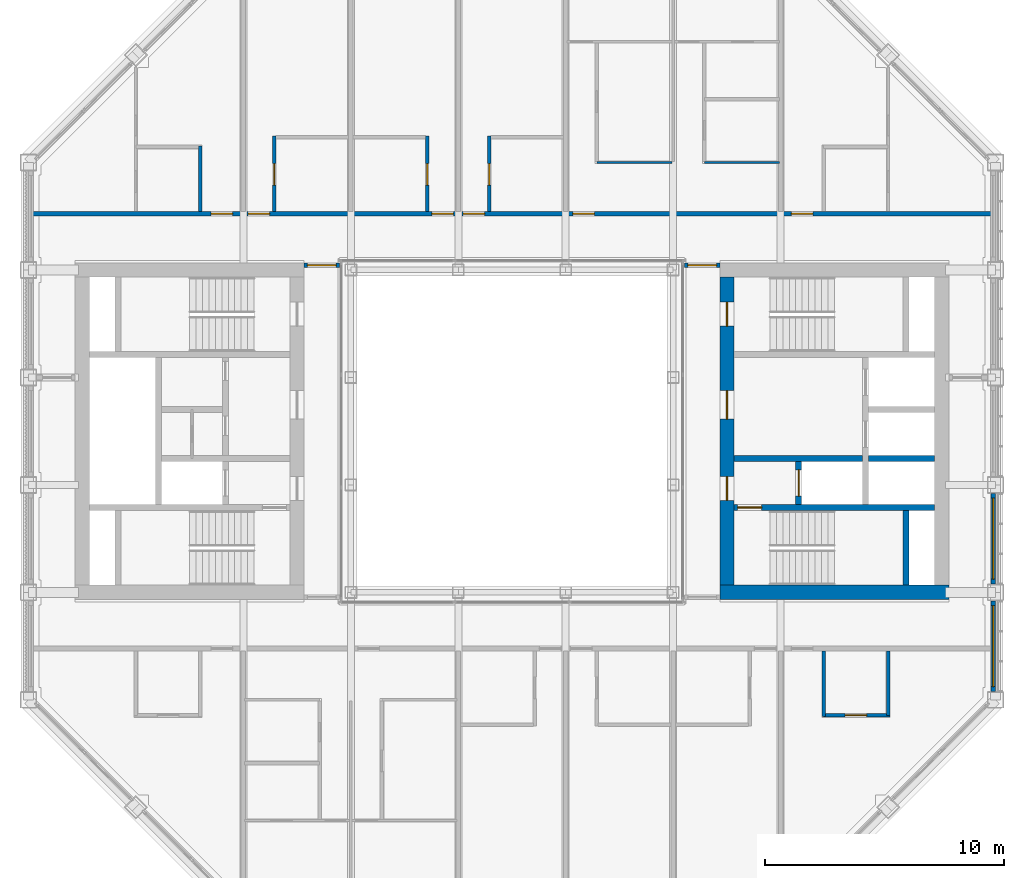
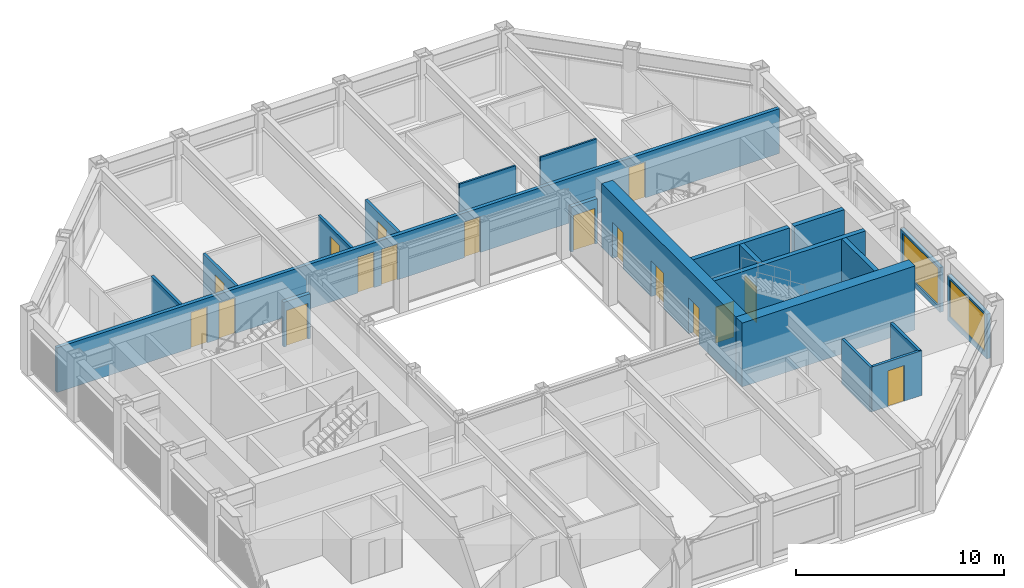
# One storey, part 11 of 18: 21 walls, 17 doors, 2 windows, 19 openings.
"""IFC4 building model written with IfcOpenShell, lengths in metres."""

from ifc_helpers import new_model, si_unit, direction, frame, frame_2d, origin, place, context, subcontext, project, spatial, rectangle, extrude, material, layer, layer_set, type_object, element, fill, save


model = new_model("IFC4")

# Units and contexts
model_context = context("Model", 3, precision=1e-05, world=origin(), true_north=direction((0.0, 1.0)))
body_context = subcontext(model_context, "Body", "Model", "MODEL_VIEW")
ifc_project = project(units=[si_unit("LENGTHUNIT", "METRE"), si_unit("AREAUNIT", "SQUARE_METRE"), si_unit("VOLUMEUNIT", "CUBIC_METRE"), si_unit("PLANEANGLEUNIT", "RADIAN"), si_unit("MASSUNIT", "GRAM", prefix="KILO")], contexts=[model_context])

# Site, building, storey
site_placement = place(None, origin())
site = spatial("IfcSite", under=ifc_project, at=site_placement, CompositionType="ELEMENT")
building_placement = place(site_placement, origin())
building = spatial("IfcBuilding", under=site, at=building_placement, Name="Msasa Ring Tower", CompositionType="ELEMENT")
storey_placement = place(building_placement, frame((0.0, 0.0, 227.050048828125)))
storey = spatial("IfcBuildingStorey", under=building, at=storey_placement, Name="L59", CompositionType="ELEMENT", Elevation=227.050048828125)

# Wall
ifc_material_1 = material(Name="Concrete C60/75", Category="concrete")
ifc_layer_1 = layer(ifc_material_1, 0.60009765625)
ifc_layer_set_1 = layer_set([ifc_layer_1], Name="CW3 CORE WALL 600")
wall_type_1 = type_object("IfcWallType", Name="CW3 CORE WALL 600", PredefinedType="SHEAR", material=ifc_layer_set_1)
wall_1_placement = place(storey_placement, frame((8.699951171875, -6.75, 0.0), z_axis=(0.0, 0.0, 1.0), x_axis=(1.0, 0.0, 0.0)))
element("IfcWall", 1, at=wall_1_placement, inside=storey, type_object=wall_type_1, Name="E core wall S L59", PredefinedType="SHEAR", context=body_context, shape_type="SweptSolid", body=[
    extrude(rectangle(XDim=9.60009765625, YDim=0.60009765625, at=frame_2d((4.800048828125, 0.0))), origin(), (0.0, 0.0, 1.0), 3.75),
])

# Wall, openings, doors
wall_2_placement = place(storey_placement, frame((9.0, -6.449951171875, 0.0), z_axis=(0.0, 0.0, 1.0), x_axis=(0.0, 1.0, 0.0)))
wall_2 = element("IfcWall", 2, at=wall_2_placement, inside=storey, type_object=wall_type_1, Name="E core wall W L59", PredefinedType="SHEAR", context=body_context, shape_type="SweptSolid", body=[
    extrude(rectangle(XDim=12.89990234375, YDim=0.60009765625, at=frame_2d((6.449951171875, 0.0))), origin(), (0.0, 0.0, 1.0), 3.75),
])
opening_1_placement = place(wall_2_placement, frame((3.550048828125, 0.0, 0.0)))
opening_1 = element("IfcOpeningElement", 3, at=opening_1_placement, cuts=wall_2, Name="Opening SC-031", PredefinedType="OPENING", context=body_context, shape_type="SweptSolid", body=[
    extrude(rectangle(XDim=1.0, YDim=2.10009765625, at=frame_2d((0.5, 1.050048828125))), frame((0.0, 0.31005859375, 0.0), z_axis=(0.0, -1.0, 0.0), x_axis=(1.0, 0.0, 0.0)), (0.0, 0.0, 1.0), 0.6201171875),
])
opening_2_placement = place(wall_2_placement, frame((6.949951171875, 0.0, 0.0)))
opening_2 = element("IfcOpeningElement", 4, at=opening_2_placement, cuts=wall_2, Name="Opening SC-027", PredefinedType="OPENING", context=body_context, shape_type="SweptSolid", body=[
    extrude(rectangle(XDim=1.199951171875, YDim=2.10009765625, at=frame_2d((0.60009765625, 1.050048828125))), frame((0.0, 0.31005859375, 0.0), z_axis=(0.0, -1.0, 0.0), x_axis=(1.0, 0.0, 0.0)), (0.0, 0.0, 1.0), 0.6201171875),
])
opening_3_placement = place(wall_2_placement, frame((10.85009765625, 0.0, 0.0)))
opening_3 = element("IfcOpeningElement", 5, at=opening_3_placement, cuts=wall_2, Name="Opening SC-022", PredefinedType="OPENING", context=body_context, shape_type="SweptSolid", body=[
    extrude(rectangle(XDim=1.0, YDim=2.10009765625, at=frame_2d((0.5, 1.050048828125))), frame((0.0, 0.31005859375, 0.0), z_axis=(0.0, -1.0, 0.0), x_axis=(1.0, 0.0, 0.0)), (0.0, 0.0, 1.0), 0.6201171875),
])
ifc_material_2 = material(Name="Timber door leaf in a steel frame", Category="steel")
door_type_1 = type_object("IfcDoorType", Name="D4 LOBBY DOOR 1000x2100", OperationType="SINGLE_SWING_LEFT", PredefinedType="DOOR", material=ifc_material_2)
door_1_placement = place(opening_1_placement, origin())
door_1 = element("IfcDoor", 6, at=door_1_placement, inside=storey, type_object=door_type_1, Name="Door L59-EFFL", OperationType="SINGLE_SWING_LEFT", OverallHeight=2.10009765625, OverallWidth=1.0, PredefinedType="DOOR", context=body_context, shape_type="SweptSolid", body=[
    extrude(rectangle(XDim=1.0, YDim=2.10009765625, at=frame_2d((0.5, 1.050048828125))), frame((0.0, 0.02490234375, 0.0), z_axis=(0.0, -1.0, 0.0), x_axis=(1.0, 0.0, 0.0)), (0.0, 0.0, 1.0), 0.050048828125),
])
fill(opening_1, door_1)
ifc_material_3 = material(Name="Timber door leaf in a steel frame", Category="steel")
door_type_2 = type_object("IfcDoorType", Name="D5 WIDE LOBBY DOOR 1200x2100", OperationType="SINGLE_SWING_LEFT", PredefinedType="DOOR", material=ifc_material_3)
door_2_placement = place(opening_2_placement, origin())
door_2 = element("IfcDoor", 7, at=door_2_placement, inside=storey, type_object=door_type_2, Name="Door L59-ELL", OperationType="SINGLE_SWING_RIGHT", OverallHeight=2.10009765625, OverallWidth=1.199951171875, PredefinedType="DOOR", context=body_context, shape_type="SweptSolid", body=[
    extrude(rectangle(XDim=1.199951171875, YDim=2.10009765625, at=frame_2d((0.60009765625, 1.050048828125))), frame((0.0, 0.02490234375, 0.0), z_axis=(0.0, -1.0, 0.0), x_axis=(1.0, 0.0, 0.0)), (0.0, 0.0, 1.0), 0.050048828125),
])
fill(opening_2, door_2)
ifc_material_4 = material(Name="Timber door leaf in a steel frame", Category="steel")
door_type_3 = type_object("IfcDoorType", Name="D6 STAIR DOOR 1000x2100", OperationType="SINGLE_SWING_LEFT", PredefinedType="DOOR", material=ifc_material_4)
door_3_placement = place(opening_3_placement, origin())
door_3 = element("IfcDoor", 8, at=door_3_placement, inside=storey, type_object=door_type_3, Name="Door L59-ESTB", OperationType="SINGLE_SWING_RIGHT", OverallHeight=2.10009765625, OverallWidth=1.0, PredefinedType="DOOR", context=body_context, shape_type="SweptSolid", body=[
    extrude(rectangle(XDim=1.0, YDim=2.10009765625, at=frame_2d((0.5, 1.050048828125))), frame((0.0, 0.02490234375, 0.0), z_axis=(0.0, -1.0, 0.0), x_axis=(1.0, 0.0, 0.0)), (0.0, 0.0, 1.0), 0.050048828125),
])
fill(opening_3, door_3)

# Wall, opening, door
ifc_material_5 = material(Name="Concrete C60/75", Category="concrete")
ifc_layer_2 = layer(ifc_material_5, 0.25)
ifc_layer_set_2 = layer_set([ifc_layer_2], Name="CW4 CORE INNER WALL 250")
wall_type_2 = type_object("IfcWallType", Name="CW4 CORE INNER WALL 250", PredefinedType="SHEAR", material=ifc_layer_set_2)
wall_3_placement = place(storey_placement, frame((9.300048828125, -3.199951171875, 0.0), z_axis=(0.0, 0.0, 1.0), x_axis=(1.0, 0.0, 0.0)))
wall_3 = element("IfcWall", 9, at=wall_3_placement, inside=storey, type_object=wall_type_2, Name="E core wall STAIRA L59", PredefinedType="SHEAR", context=body_context, shape_type="SweptSolid", body=[
    extrude(rectangle(XDim=8.39990234375, YDim=0.25, at=frame_2d((4.199951171875, 0.0))), origin(), (0.0, 0.0, 1.0), 3.75),
])
opening_4_placement = place(wall_3_placement, frame((0.14990234375, 0.0, 0.0)))
opening_4 = element("IfcOpeningElement", 10, at=opening_4_placement, cuts=wall_3, Name="Opening SC-033", PredefinedType="OPENING", context=body_context, shape_type="SweptSolid", body=[
    extrude(rectangle(XDim=1.0, YDim=2.10009765625, at=frame_2d((0.5, 1.050048828125))), frame((0.0, 0.135009765625, 0.0), z_axis=(0.0, -1.0, 0.0), x_axis=(1.0, 0.0, 0.0)), (0.0, 0.0, 1.0), 0.27001953125),
])
door_4_placement = place(opening_4_placement, origin())
door_4 = element("IfcDoor", 11, at=door_4_placement, inside=storey, type_object=door_type_3, Name="Door L59-ESTA", OperationType="SINGLE_SWING_LEFT", OverallHeight=2.10009765625, OverallWidth=1.0, PredefinedType="DOOR", context=body_context, shape_type="SweptSolid", body=[
    extrude(rectangle(XDim=1.0, YDim=2.10009765625, at=frame_2d((0.5, 1.050048828125))), frame((0.0, 0.02490234375, 0.0), z_axis=(0.0, -1.0, 0.0), x_axis=(1.0, 0.0, 0.0)), (0.0, 0.0, 1.0), 0.050048828125),
])
fill(opening_4, door_4)

# Walls
wall_4_placement = place(storey_placement, frame((16.5, -6.449951171875, 0.0), z_axis=(0.0, 0.0, 1.0), x_axis=(0.0, 1.0, 0.0)))
element("IfcWall", 12, at=wall_4_placement, inside=storey, type_object=wall_type_2, Name="E core wall RISERA L59", PredefinedType="SHEAR", context=body_context, shape_type="SweptSolid", body=[
    extrude(rectangle(XDim=3.125, YDim=0.25, at=frame_2d((1.5625, 0.0))), origin(), (0.0, 0.0, 1.0), 3.75),
])
wall_5_placement = place(storey_placement, frame((9.300048828125, -1.14990234375, 0.0), z_axis=(0.0, 0.0, 1.0), x_axis=(1.0, 0.0, 0.0)))
element("IfcWall", 13, at=wall_5_placement, inside=storey, type_object=wall_type_2, Name="E core wall FFL L59", PredefinedType="SHEAR", context=body_context, shape_type="SweptSolid", body=[
    extrude(rectangle(XDim=5.375, YDim=0.25, at=frame_2d((2.6875, 0.0))), origin(), (0.0, 0.0, 1.0), 3.75),
])

# Wall, opening, door
wall_6_placement = place(storey_placement, frame((12.0, -3.074951171875, 0.0), z_axis=(0.0, 0.0, 1.0), x_axis=(0.0, 1.0, 0.0)))
wall_6 = element("IfcWall", 14, at=wall_6_placement, inside=storey, type_object=wall_type_2, Name="E core wall LOBBY L59", PredefinedType="SHEAR", context=body_context, shape_type="SweptSolid", body=[
    extrude(rectangle(XDim=1.800048828125, YDim=0.25, at=frame_2d((0.89990234375, 0.0))), origin(), (0.0, 0.0, 1.0), 3.75),
])
opening_5_placement = place(wall_6_placement, frame((0.35009765625, 0.0, 0.0)))
opening_5 = element("IfcOpeningElement", 15, at=opening_5_placement, cuts=wall_6, Name="Opening LD1", PredefinedType="OPENING", context=body_context, shape_type="SweptSolid", body=[
    extrude(rectangle(XDim=1.10009765625, YDim=2.10009765625, at=frame_2d((0.550048828125, 1.050048828125))), frame((0.0, 0.135009765625, 0.0), z_axis=(0.0, -1.0, 0.0), x_axis=(1.0, 0.0, 0.0)), (0.0, 0.0, 1.0), 0.27001953125),
])
ifc_material_6 = material(Name="Stainless steel lift landing door", Category="steel")
door_type_4 = type_object("IfcDoorType", Name="LD1 LIFT LANDING DOOR 1100x2100", OperationType="DOUBLE_DOOR_SLIDING", PredefinedType="DOOR", material=ifc_material_6)
door_5_placement = place(opening_5_placement, origin())
door_5 = element("IfcDoor", 16, at=door_5_placement, inside=storey, type_object=door_type_4, Name="Lift landing door FL-E L59", OperationType="DOUBLE_DOOR_SLIDING", OverallHeight=2.10009765625, OverallWidth=1.10009765625, PredefinedType="DOOR", context=body_context, shape_type="SweptSolid", body=[
    extrude(rectangle(XDim=1.10009765625, YDim=2.10009765625, at=frame_2d((0.550048828125, 1.050048828125))), frame((0.0, 0.02490234375, 0.0), z_axis=(0.0, -1.0, 0.0), x_axis=(1.0, 0.0, 0.0)), (0.0, 0.0, 1.0), 0.050048828125),
])
fill(opening_5, door_5)

# Wall
wall_7_placement = place(storey_placement, frame((14.925048828125, -1.14990234375, 0.0), z_axis=(0.0, 0.0, 1.0), x_axis=(1.0, 0.0, 0.0)))
element("IfcWall", 17, at=wall_7_placement, inside=storey, type_object=wall_type_2, Name="E core wall HSEP L59", PredefinedType="SHEAR", context=body_context, shape_type="SweptSolid", body=[
    extrude(rectangle(XDim=2.77490234375, YDim=0.25, at=frame_2d((1.387451171875, 0.0))), origin(), (0.0, 0.0, 1.0), 3.75),
])

# Wall, opening, window
ifc_material_7 = material(Name="Terracotta rainscreen on blockwork", Category="masonry")
ifc_layer_3 = layer(ifc_material_7, 0.199951171875)
ifc_layer_set_3 = layer_set([ifc_layer_3], Name="FW1 TERRACOTTA-LINED INFILL BAY WALL 200")
wall_type_3 = type_object("IfcWallType", Name="FW1 TERRACOTTA-LINED INFILL BAY WALL 200", PredefinedType="SOLIDWALL", material=ifc_layer_set_3)
wall_8_placement = place(storey_placement, frame((20.14990234375, -10.89501953125, 0.0), z_axis=(0.0, 0.0, 1.0), x_axis=(0.0, 1.0, 0.0)))
wall_8 = element("IfcWall", 18, at=wall_8_placement, inside=storey, type_object=wall_type_3, Name="Infill bay wall E L59 07", PredefinedType="SOLIDWALL", context=body_context, shape_type="SweptSolid", body=[
    extrude(rectangle(XDim=3.7900390625, YDim=0.199951171875, at=frame_2d((1.89501953125, 0.0))), origin(), (0.0, 0.0, 1.0), 2.62890625),
])
opening_6_placement = place(wall_8_placement, frame((0.195068359375, 0.0, 0.300048828125)))
opening_6 = element("IfcOpeningElement", 19, at=opening_6_placement, cuts=wall_8, Name="Opening WN3", PredefinedType="OPENING", context=body_context, shape_type="SweptSolid", body=[
    extrude(rectangle(XDim=3.39990234375, YDim=2.178955078125, at=frame_2d((1.699951171875, 1.08935546875))), frame((0.0, 0.10986328125, 0.0), z_axis=(0.0, -1.0, 0.0), x_axis=(1.0, 0.0, 0.0)), (0.0, 0.0, 1.0), 0.219970703125),
])
ifc_material_8 = material(Name="Aluminium frame with clear glass", Category="aluminium")
window_type = type_object("IfcWindowType", Name="WN3 SUITE WINDOW 3400x2179", PartitioningType="SINGLE_PANEL", PredefinedType="WINDOW", material=ifc_material_8)
window_1_placement = place(opening_6_placement, origin())
window_1 = element("IfcWindow", 20, at=window_1_placement, inside=storey, type_object=window_type, Name="Window E L59 07", OverallHeight=2.178955078125, OverallWidth=3.39990234375, PartitioningType="SINGLE_PANEL", PredefinedType="WINDOW", context=body_context, shape_type="SweptSolid", body=[
    extrude(rectangle(XDim=3.39990234375, YDim=2.178955078125, at=frame_2d((1.699951171875, 1.08935546875))), frame((0.0, 0.030029296875, 0.0), z_axis=(0.0, -1.0, 0.0), x_axis=(1.0, 0.0, 0.0)), (0.0, 0.0, 1.0), 0.06005859375),
])
fill(opening_6, window_1)

wall_9_placement = place(storey_placement, frame((20.14990234375, -6.39501953125, 0.0), z_axis=(0.0, 0.0, 1.0), x_axis=(0.0, 1.0, 0.0)))
wall_9 = element("IfcWall", 21, at=wall_9_placement, inside=storey, type_object=wall_type_3, Name="Infill bay wall E L59 08", PredefinedType="SOLIDWALL", context=body_context, shape_type="SweptSolid", body=[
    extrude(rectangle(XDim=3.7900390625, YDim=0.199951171875, at=frame_2d((1.89501953125, 0.0))), origin(), (0.0, 0.0, 1.0), 2.62890625),
])
opening_7_placement = place(wall_9_placement, frame((0.195068359375, 0.0, 0.300048828125)))
opening_7 = element("IfcOpeningElement", 22, at=opening_7_placement, cuts=wall_9, Name="Opening WN3", PredefinedType="OPENING", context=body_context, shape_type="SweptSolid", body=[
    extrude(rectangle(XDim=3.39990234375, YDim=2.178955078125, at=frame_2d((1.699951171875, 1.08935546875))), frame((0.0, 0.10986328125, 0.0), z_axis=(0.0, -1.0, 0.0), x_axis=(1.0, 0.0, 0.0)), (0.0, 0.0, 1.0), 0.219970703125),
])
window_2_placement = place(opening_7_placement, origin())
window_2 = element("IfcWindow", 23, at=window_2_placement, inside=storey, type_object=window_type, Name="Window E L59 08", OverallHeight=2.178955078125, OverallWidth=3.39990234375, PartitioningType="SINGLE_PANEL", PredefinedType="WINDOW", context=body_context, shape_type="SweptSolid", body=[
    extrude(rectangle(XDim=3.39990234375, YDim=2.178955078125, at=frame_2d((1.699951171875, 1.08935546875))), frame((0.0, 0.030029296875, 0.0), z_axis=(0.0, -1.0, 0.0), x_axis=(1.0, 0.0, 0.0)), (0.0, 0.0, 1.0), 0.06005859375),
])
fill(opening_7, window_2)

# Wall, opening, door
ifc_material_9 = material(Name="Concrete blockwork", Category="masonry")
ifc_layer_4 = layer(ifc_material_9, 0.199951171875)
ifc_layer_set_4 = layer_set([ifc_layer_4], Name="PT1 CORRIDOR WALL 200")
wall_type_4 = type_object("IfcWallType", Name="PT1 CORRIDOR WALL 200", PredefinedType="PARTITIONING", material=ifc_layer_set_4)
wall_10_placement = place(storey_placement, frame((7.22998046875, 6.949951171875, 0.0), z_axis=(0.0, 0.0, 1.0), x_axis=(1.0, 0.0, 0.0)))
wall_10 = element("IfcWall", 24, at=wall_10_placement, inside=storey, type_object=wall_type_4, Name="Corridor wall L59-SDEN", PredefinedType="PARTITIONING", context=body_context, shape_type="SweptSolid", body=[
    extrude(rectangle(XDim=1.469970703125, YDim=0.199951171875, at=frame_2d((0.73486328125, 0.0))), origin(), (0.0, 0.0, 1.0), 2.62890625),
])
opening_8_placement = place(wall_10_placement, frame((0.135009765625, 0.0, 0.0)))
opening_8 = element("IfcOpeningElement", 25, at=opening_8_placement, cuts=wall_10, Name="Opening SC-020", PredefinedType="OPENING", context=body_context, shape_type="SweptSolid", body=[
    extrude(rectangle(XDim=1.199951171875, YDim=2.10009765625, at=frame_2d((0.60009765625, 1.050048828125))), frame((0.0, 0.10986328125, 0.0), z_axis=(0.0, -1.0, 0.0), x_axis=(1.0, 0.0, 0.0)), (0.0, 0.0, 1.0), 0.219970703125),
])
ifc_material_10 = material(Name="Timber door leaf in a steel frame", Category="steel")
door_type_5 = type_object("IfcDoorType", Name="D25 CORRIDOR PAIR OF SMOKE DOORS 1200x2100", OperationType="DOUBLE_DOOR_DOUBLE_SWING", PredefinedType="DOOR", material=ifc_material_10)
door_6_placement = place(opening_8_placement, origin())
door_6 = element("IfcDoor", 26, at=door_6_placement, inside=storey, type_object=door_type_5, Name="Door L59-SDEN", OperationType="DOUBLE_DOOR_DOUBLE_SWING", OverallHeight=2.10009765625, OverallWidth=1.199951171875, PredefinedType="DOOR", context=body_context, shape_type="SweptSolid", body=[
    extrude(rectangle(XDim=1.199951171875, YDim=2.10009765625, at=frame_2d((0.60009765625, 1.050048828125))), frame((0.0, 0.02490234375, 0.0), z_axis=(0.0, -1.0, 0.0), x_axis=(1.0, 0.0, 0.0)), (0.0, 0.0, 1.0), 0.050048828125),
])
fill(opening_8, door_6)

wall_11_placement = place(storey_placement, frame((-8.699951171875, 6.949951171875, 0.0), z_axis=(0.0, 0.0, 1.0), x_axis=(1.0, 0.0, 0.0)))
wall_11 = element("IfcWall", 27, at=wall_11_placement, inside=storey, type_object=wall_type_4, Name="Corridor wall L59-SDWN", PredefinedType="PARTITIONING", context=body_context, shape_type="SweptSolid", body=[
    extrude(rectangle(XDim=1.469970703125, YDim=0.199951171875, at=frame_2d((0.73486328125, 0.0))), origin(), (0.0, 0.0, 1.0), 2.62890625),
])
opening_9_placement = place(wall_11_placement, frame((0.135009765625, 0.0, 0.0)))
opening_9 = element("IfcOpeningElement", 28, at=opening_9_placement, cuts=wall_11, Name="Opening SC-019", PredefinedType="OPENING", context=body_context, shape_type="SweptSolid", body=[
    extrude(rectangle(XDim=1.199951171875, YDim=2.10009765625, at=frame_2d((0.60009765625, 1.050048828125))), frame((0.0, 0.10986328125, 0.0), z_axis=(0.0, -1.0, 0.0), x_axis=(1.0, 0.0, 0.0)), (0.0, 0.0, 1.0), 0.219970703125),
])
door_7_placement = place(opening_9_placement, origin())
door_7 = element("IfcDoor", 29, at=door_7_placement, inside=storey, type_object=door_type_5, Name="Door L59-SDWN", OperationType="DOUBLE_DOOR_DOUBLE_SWING", OverallHeight=2.10009765625, OverallWidth=1.199951171875, PredefinedType="DOOR", context=body_context, shape_type="SweptSolid", body=[
    extrude(rectangle(XDim=1.199951171875, YDim=2.10009765625, at=frame_2d((0.60009765625, 1.050048828125))), frame((0.0, 0.02490234375, 0.0), z_axis=(0.0, -1.0, 0.0), x_axis=(1.0, 0.0, 0.0)), (0.0, 0.0, 1.0), 0.050048828125),
])
fill(opening_9, door_7)

# Wall, openings, doors
wall_12_placement = place(storey_placement, frame((-20.050048828125, 9.10009765625, 0.0), z_axis=(0.0, 0.0, 1.0), x_axis=(1.0, 0.0, 0.0)))
wall_12 = element("IfcWall", 30, at=wall_12_placement, inside=storey, type_object=wall_type_4, Name="Corridor wall L59-CORRN0", PredefinedType="PARTITIONING", context=body_context, shape_type="SweptSolid", body=[
    extrude(rectangle(XDim=40.10009765625, YDim=0.199951171875, at=frame_2d((20.050048828125, 0.0))), origin(), (0.0, 0.0, 1.0), 2.62890625),
])
opening_10_placement = place(wall_12_placement, frame((9.0, 0.0, 0.0)))
opening_10 = element("IfcOpeningElement", 31, at=opening_10_placement, cuts=wall_12, Name="Opening SC-014", PredefinedType="OPENING", context=body_context, shape_type="SweptSolid", body=[
    extrude(rectangle(XDim=0.89990234375, YDim=2.10009765625, at=frame_2d((0.449951171875, 1.050048828125))), frame((0.0, 0.10986328125, 0.0), z_axis=(0.0, -1.0, 0.0), x_axis=(1.0, 0.0, 0.0)), (0.0, 0.0, 1.0), 0.219970703125),
])
opening_11_placement = place(wall_12_placement, frame((16.699951171875, 0.0, 0.0)))
opening_11 = element("IfcOpeningElement", 32, at=opening_11_placement, cuts=wall_12, Name="Opening SC-015", PredefinedType="OPENING", context=body_context, shape_type="SweptSolid", body=[
    extrude(rectangle(XDim=0.89990234375, YDim=2.10009765625, at=frame_2d((0.449951171875, 1.050048828125))), frame((0.0, 0.10986328125, 0.0), z_axis=(0.0, -1.0, 0.0), x_axis=(1.0, 0.0, 0.0)), (0.0, 0.0, 1.0), 0.219970703125),
])
opening_12_placement = place(wall_12_placement, frame((18.0, 0.0, 0.0)))
opening_12 = element("IfcOpeningElement", 33, at=opening_12_placement, cuts=wall_12, Name="Opening SC-016", PredefinedType="OPENING", context=body_context, shape_type="SweptSolid", body=[
    extrude(rectangle(XDim=0.89990234375, YDim=2.10009765625, at=frame_2d((0.449951171875, 1.050048828125))), frame((0.0, 0.10986328125, 0.0), z_axis=(0.0, -1.0, 0.0), x_axis=(1.0, 0.0, 0.0)), (0.0, 0.0, 1.0), 0.219970703125),
])
opening_13_placement = place(wall_12_placement, frame((22.60009765625, 0.0, 0.0)))
opening_13 = element("IfcOpeningElement", 34, at=opening_13_placement, cuts=wall_12, Name="Opening SC-017", PredefinedType="OPENING", context=body_context, shape_type="SweptSolid", body=[
    extrude(rectangle(XDim=0.89990234375, YDim=2.10009765625, at=frame_2d((0.449951171875, 1.050048828125))), frame((0.0, 0.10986328125, 0.0), z_axis=(0.0, -1.0, 0.0), x_axis=(1.0, 0.0, 0.0)), (0.0, 0.0, 1.0), 0.219970703125),
])
opening_14_placement = place(wall_12_placement, frame((31.75, 0.0, 0.0)))
opening_14 = element("IfcOpeningElement", 35, at=opening_14_placement, cuts=wall_12, Name="Opening SC-018", PredefinedType="OPENING", context=body_context, shape_type="SweptSolid", body=[
    extrude(rectangle(XDim=0.89990234375, YDim=2.10009765625, at=frame_2d((0.449951171875, 1.050048828125))), frame((0.0, 0.10986328125, 0.0), z_axis=(0.0, -1.0, 0.0), x_axis=(1.0, 0.0, 0.0)), (0.0, 0.0, 1.0), 0.219970703125),
])
opening_15_placement = place(wall_12_placement, frame((7.449951171875, 0.0, 0.0)))
opening_15 = element("IfcOpeningElement", 36, at=opening_15_placement, cuts=wall_12, Name="Opening SC-013", PredefinedType="OPENING", context=body_context, shape_type="SweptSolid", body=[
    extrude(rectangle(XDim=0.89990234375, YDim=2.10009765625, at=frame_2d((0.449951171875, 1.050048828125))), frame((0.0, 0.10986328125, 0.0), z_axis=(0.0, -1.0, 0.0), x_axis=(1.0, 0.0, 0.0)), (0.0, 0.0, 1.0), 0.219970703125),
])
ifc_material_11 = material(Name="Timber door leaf in a steel frame", Category="steel")
door_type_6 = type_object("IfcDoorType", Name="D1 SINGLE DOOR TO CORRIDOR 900x2100", OperationType="SINGLE_SWING_LEFT", PredefinedType="DOOR", material=ifc_material_11)
door_8_placement = place(opening_10_placement, origin())
door_8 = element("IfcDoor", 37, at=door_8_placement, inside=storey, type_object=door_type_6, Name="Door L59-JN00", OperationType="SINGLE_SWING_LEFT", OverallHeight=2.10009765625, OverallWidth=0.89990234375, PredefinedType="DOOR", context=body_context, shape_type="SweptSolid", body=[
    extrude(rectangle(XDim=0.89990234375, YDim=2.10009765625, at=frame_2d((0.449951171875, 1.050048828125))), frame((0.0, 0.02490234375, 0.0), z_axis=(0.0, -1.0, 0.0), x_axis=(1.0, 0.0, 0.0)), (0.0, 0.0, 1.0), 0.050048828125),
])
fill(opening_10, door_8)
door_9_placement = place(opening_11_placement, origin())
door_9 = element("IfcDoor", 38, at=door_9_placement, inside=storey, type_object=door_type_6, Name="Door L59-JN01", OperationType="SINGLE_SWING_LEFT", OverallHeight=2.10009765625, OverallWidth=0.89990234375, PredefinedType="DOOR", context=body_context, shape_type="SweptSolid", body=[
    extrude(rectangle(XDim=0.89990234375, YDim=2.10009765625, at=frame_2d((0.449951171875, 1.050048828125))), frame((0.0, 0.02490234375, 0.0), z_axis=(0.0, -1.0, 0.0), x_axis=(1.0, 0.0, 0.0)), (0.0, 0.0, 1.0), 0.050048828125),
])
fill(opening_11, door_9)
door_10_placement = place(opening_12_placement, origin())
door_10 = element("IfcDoor", 39, at=door_10_placement, inside=storey, type_object=door_type_6, Name="Door L59-JN02", OperationType="SINGLE_SWING_LEFT", OverallHeight=2.10009765625, OverallWidth=0.89990234375, PredefinedType="DOOR", context=body_context, shape_type="SweptSolid", body=[
    extrude(rectangle(XDim=0.89990234375, YDim=2.10009765625, at=frame_2d((0.449951171875, 1.050048828125))), frame((0.0, 0.02490234375, 0.0), z_axis=(0.0, -1.0, 0.0), x_axis=(1.0, 0.0, 0.0)), (0.0, 0.0, 1.0), 0.050048828125),
])
fill(opening_12, door_10)
ifc_material_12 = material(Name="Timber door leaf in a steel frame", Category="steel")
door_type_7 = type_object("IfcDoorType", Name="D2 ENTRANCE DOOR 900x2100", OperationType="SINGLE_SWING_LEFT", PredefinedType="DOOR", material=ifc_material_12)
door_11_placement = place(opening_13_placement, origin())
door_11 = element("IfcDoor", 40, at=door_11_placement, inside=storey, type_object=door_type_7, Name="Door L59-JN03", OperationType="SINGLE_SWING_RIGHT", OverallHeight=2.10009765625, OverallWidth=0.89990234375, PredefinedType="DOOR", context=body_context, shape_type="SweptSolid", body=[
    extrude(rectangle(XDim=0.89990234375, YDim=2.10009765625, at=frame_2d((0.449951171875, 1.050048828125))), frame((0.0, 0.02490234375, 0.0), z_axis=(0.0, -1.0, 0.0), x_axis=(1.0, 0.0, 0.0)), (0.0, 0.0, 1.0), 0.050048828125),
])
fill(opening_13, door_11)
door_12_placement = place(opening_14_placement, origin())
door_12 = element("IfcDoor", 41, at=door_12_placement, inside=storey, type_object=door_type_7, Name="Door L59-CSNE", OperationType="SINGLE_SWING_RIGHT", OverallHeight=2.10009765625, OverallWidth=0.89990234375, PredefinedType="DOOR", context=body_context, shape_type="SweptSolid", body=[
    extrude(rectangle(XDim=0.89990234375, YDim=2.10009765625, at=frame_2d((0.449951171875, 1.050048828125))), frame((0.0, 0.02490234375, 0.0), z_axis=(0.0, -1.0, 0.0), x_axis=(1.0, 0.0, 0.0)), (0.0, 0.0, 1.0), 0.050048828125),
])
fill(opening_14, door_12)
door_13_placement = place(opening_15_placement, origin())
door_13 = element("IfcDoor", 42, at=door_13_placement, inside=storey, type_object=door_type_7, Name="Door L59-CSNW", OperationType="SINGLE_SWING_LEFT", OverallHeight=2.10009765625, OverallWidth=0.89990234375, PredefinedType="DOOR", context=body_context, shape_type="SweptSolid", body=[
    extrude(rectangle(XDim=0.89990234375, YDim=2.10009765625, at=frame_2d((0.449951171875, 1.050048828125))), frame((0.0, 0.02490234375, 0.0), z_axis=(0.0, -1.0, 0.0), x_axis=(1.0, 0.0, 0.0)), (0.0, 0.0, 1.0), 0.050048828125),
])
fill(opening_15, door_13)

# Walls
ifc_material_13 = material(Name="Gypsum board on steel studs", Category="steel")
ifc_layer_5 = layer(ifc_material_13, 0.10009765625)
ifc_layer_set_5 = layer_set([ifc_layer_5], Name="PT2 STUD PARTITION 100")
wall_type_5 = type_object("IfcWallType", Name="PT2 STUD PARTITION 100", PredefinedType="PARTITIONING", material=ifc_layer_set_5)
for number, where, z_axis, x_axis, name in (
    (43, (3.550048828125, 11.25, 0.0), (0.0, 0.0, 1.0), (1.0, 0.0, 0.0), "Partition L59-JN03HY0"),
    (44, (8.050048828125, 11.25, 0.0), (0.0, 0.0, 1.0), (1.0, 0.0, 0.0), "Partition L59-JN03HY1"),
):
    element("IfcWall", number, at=place(storey_placement, frame(where, z_axis=z_axis, x_axis=x_axis)), inside=storey, type_object=wall_type_5, Name=name, PredefinedType="PARTITIONING", context=body_context, shape_type="SweptSolid", body=[
        extrude(rectangle(XDim=3.139892578125, YDim=0.10009765625, at=frame_2d((1.56982421875, 0.0))), origin(), (0.0, 0.0, 1.0), 2.62890625),
    ])

# Wall, opening, door
ifc_material_14 = material(Name="Moisture-resistant board on steel studs with a concealed cistern and pipe void, tiled", Category="steel")
ifc_layer_6 = layer(ifc_material_14, 0.14990234375)
ifc_layer_set_6 = layer_set([ifc_layer_6], Name="PT4 BATHROOM WET WALL 150")
wall_type_6 = type_object("IfcWallType", Name="PT4 BATHROOM WET WALL 150", PredefinedType="PARTITIONING", material=ifc_layer_set_6)
wall_13_placement = place(storey_placement, frame((-9.949951171875, 9.199951171875, 0.0), z_axis=(0.0, 0.0, 1.0), x_axis=(0.0, 1.0, 0.0)))
wall_13 = element("IfcWall", 45, at=wall_13_placement, inside=storey, type_object=wall_type_6, Name="Partition L59-JN00BX", PredefinedType="PARTITIONING", context=body_context, shape_type="SweptSolid", body=[
    extrude(rectangle(XDim=3.150146484375, YDim=0.14990234375, at=frame_2d((1.5751953125, 0.0))), origin(), (0.0, 0.0, 1.0), 2.62890625),
])
opening_16_placement = place(wall_13_placement, frame((1.10009765625, 0.0, 0.0)))
opening_16 = element("IfcOpeningElement", 46, at=opening_16_placement, cuts=wall_13, Name="Opening SC-008", PredefinedType="OPENING", context=body_context, shape_type="SweptSolid", body=[
    extrude(rectangle(XDim=0.89990234375, YDim=2.10009765625, at=frame_2d((0.449951171875, 1.050048828125))), frame((0.0, 0.0849609375, 0.0), z_axis=(0.0, -1.0, 0.0), x_axis=(1.0, 0.0, 0.0)), (0.0, 0.0, 1.0), 0.169921875),
])
ifc_material_15 = material(Name="Timber door leaf in a steel frame", Category="steel")
door_type_8 = type_object("IfcDoorType", Name="D3 BATHROOM DOOR 900x2100", OperationType="SINGLE_SWING_LEFT", PredefinedType="DOOR", material=ifc_material_15)
door_14_placement = place(opening_16_placement, origin())
door_14 = element("IfcDoor", 47, at=door_14_placement, inside=storey, type_object=door_type_8, Name="Door L59-JN00B", OperationType="SINGLE_SWING_LEFT", OverallHeight=2.10009765625, OverallWidth=0.89990234375, PredefinedType="DOOR", context=body_context, shape_type="SweptSolid", body=[
    extrude(rectangle(XDim=0.89990234375, YDim=2.10009765625, at=frame_2d((0.449951171875, 1.050048828125))), frame((0.0, 0.02490234375, 0.0), z_axis=(0.0, -1.0, 0.0), x_axis=(1.0, 0.0, 0.0)), (0.0, 0.0, 1.0), 0.050048828125),
])
fill(opening_16, door_14)

wall_14_placement = place(storey_placement, frame((-3.550048828125, 9.199951171875, 0.0), z_axis=(0.0, 0.0, 1.0), x_axis=(0.0, 1.0, 0.0)))
wall_14 = element("IfcWall", 48, at=wall_14_placement, inside=storey, type_object=wall_type_6, Name="Partition L59-JN01BX", PredefinedType="PARTITIONING", context=body_context, shape_type="SweptSolid", body=[
    extrude(rectangle(XDim=3.150146484375, YDim=0.14990234375, at=frame_2d((1.5751953125, 0.0))), origin(), (0.0, 0.0, 1.0), 2.62890625),
])
opening_17_placement = place(wall_14_placement, frame((1.10009765625, 0.0, 0.0)))
opening_17 = element("IfcOpeningElement", 49, at=opening_17_placement, cuts=wall_14, Name="Opening SC-009", PredefinedType="OPENING", context=body_context, shape_type="SweptSolid", body=[
    extrude(rectangle(XDim=0.89990234375, YDim=2.10009765625, at=frame_2d((0.449951171875, 1.050048828125))), frame((0.0, 0.0849609375, 0.0), z_axis=(0.0, -1.0, 0.0), x_axis=(1.0, 0.0, 0.0)), (0.0, 0.0, 1.0), 0.169921875),
])
door_15_placement = place(opening_17_placement, origin())
door_15 = element("IfcDoor", 50, at=door_15_placement, inside=storey, type_object=door_type_8, Name="Door L59-JN01B", OperationType="SINGLE_SWING_LEFT", OverallHeight=2.10009765625, OverallWidth=0.89990234375, PredefinedType="DOOR", context=body_context, shape_type="SweptSolid", body=[
    extrude(rectangle(XDim=0.89990234375, YDim=2.10009765625, at=frame_2d((0.449951171875, 1.050048828125))), frame((0.0, 0.02490234375, 0.0), z_axis=(0.0, -1.0, 0.0), x_axis=(1.0, 0.0, 0.0)), (0.0, 0.0, 1.0), 0.050048828125),
])
fill(opening_17, door_15)

wall_15_placement = place(storey_placement, frame((-0.949951171875, 9.199951171875, 0.0), z_axis=(0.0, 0.0, 1.0), x_axis=(0.0, 1.0, 0.0)))
wall_15 = element("IfcWall", 51, at=wall_15_placement, inside=storey, type_object=wall_type_6, Name="Partition L59-JN02BX", PredefinedType="PARTITIONING", context=body_context, shape_type="SweptSolid", body=[
    extrude(rectangle(XDim=3.150146484375, YDim=0.14990234375, at=frame_2d((1.5751953125, 0.0))), origin(), (0.0, 0.0, 1.0), 2.62890625),
])
opening_18_placement = place(wall_15_placement, frame((1.10009765625, 0.0, 0.0)))
opening_18 = element("IfcOpeningElement", 52, at=opening_18_placement, cuts=wall_15, Name="Opening SC-010", PredefinedType="OPENING", context=body_context, shape_type="SweptSolid", body=[
    extrude(rectangle(XDim=0.89990234375, YDim=2.10009765625, at=frame_2d((0.449951171875, 1.050048828125))), frame((0.0, 0.0849609375, 0.0), z_axis=(0.0, -1.0, 0.0), x_axis=(1.0, 0.0, 0.0)), (0.0, 0.0, 1.0), 0.169921875),
])
door_16_placement = place(opening_18_placement, origin())
door_16 = element("IfcDoor", 53, at=door_16_placement, inside=storey, type_object=door_type_8, Name="Door L59-JN02B", OperationType="SINGLE_SWING_LEFT", OverallHeight=2.10009765625, OverallWidth=0.89990234375, PredefinedType="DOOR", context=body_context, shape_type="SweptSolid", body=[
    extrude(rectangle(XDim=0.89990234375, YDim=2.10009765625, at=frame_2d((0.449951171875, 1.050048828125))), frame((0.0, 0.02490234375, 0.0), z_axis=(0.0, -1.0, 0.0), x_axis=(1.0, 0.0, 0.0)), (0.0, 0.0, 1.0), 0.050048828125),
])
fill(opening_18, door_16)

# Walls
for number, where, z_axis, x_axis, name in (
    (54, (-13.050048828125, 9.199951171875, 0.0), (0.0, 0.0, 1.0), (0.0, 1.0, 0.0), "Partition L59-CSNWBX"),
    (55, (13.050048828125, -11.949951171875, 0.0), (0.0, 0.0, 1.0), (0.0, 1.0, 0.0), "Partition L59-CSSEBX"),
):
    element("IfcWall", number, at=place(storey_placement, frame(where, z_axis=z_axis, x_axis=x_axis)), inside=storey, type_object=wall_type_6, Name=name, PredefinedType="PARTITIONING", context=body_context, shape_type="SweptSolid", body=[
        extrude(rectangle(XDim=2.75, YDim=0.14990234375, at=frame_2d((1.375, 0.0))), origin(), (0.0, 0.0, 1.0), 2.62890625),
    ])

# Wall, opening, door
wall_16_placement = place(storey_placement, frame((13.050048828125, -11.89990234375, 0.0), z_axis=(0.0, 0.0, 1.0), x_axis=(1.0, 0.0, 0.0)))
wall_16 = element("IfcWall", 56, at=wall_16_placement, inside=storey, type_object=wall_type_6, Name="Partition L59-CSSEBY", PredefinedType="PARTITIONING", context=body_context, shape_type="SweptSolid", body=[
    extrude(rectangle(XDim=2.77490234375, YDim=0.14990234375, at=frame_2d((1.387451171875, 0.0))), origin(), (0.0, 0.0, 1.0), 2.62890625),
])
opening_19_placement = place(wall_16_placement, frame((0.89990234375, 0.0, 0.0)))
opening_19 = element("IfcOpeningElement", 57, at=opening_19_placement, cuts=wall_16, Name="Opening SC-046", PredefinedType="OPENING", context=body_context, shape_type="SweptSolid", body=[
    extrude(rectangle(XDim=0.89990234375, YDim=2.10009765625, at=frame_2d((0.449951171875, 1.050048828125))), frame((0.0, 0.0849609375, 0.0), z_axis=(0.0, -1.0, 0.0), x_axis=(1.0, 0.0, 0.0)), (0.0, 0.0, 1.0), 0.169921875),
])
door_17_placement = place(opening_19_placement, origin())
door_17 = element("IfcDoor", 58, at=door_17_placement, inside=storey, type_object=door_type_8, Name="Door L59-CSSEB1", OperationType="SINGLE_SWING_LEFT", OverallHeight=2.10009765625, OverallWidth=0.89990234375, PredefinedType="DOOR", context=body_context, shape_type="SweptSolid", body=[
    extrude(rectangle(XDim=0.89990234375, YDim=2.10009765625, at=frame_2d((0.449951171875, 1.050048828125))), frame((0.0, 0.02490234375, 0.0), z_axis=(0.0, -1.0, 0.0), x_axis=(1.0, 0.0, 0.0)), (0.0, 0.0, 1.0), 0.050048828125),
])
fill(opening_19, door_17)

# Wall
wall_17_placement = place(storey_placement, frame((15.75, -11.89990234375, 0.0), z_axis=(0.0, 0.0, 1.0), x_axis=(0.0, 1.0, 0.0)))
element("IfcWall", 59, at=wall_17_placement, inside=storey, type_object=wall_type_6, Name="Partition L59-CSSEBE", PredefinedType="PARTITIONING", context=body_context, shape_type="SweptSolid", body=[
    extrude(rectangle(XDim=2.699951171875, YDim=0.14990234375, at=frame_2d((1.35009765625, 0.0))), origin(), (0.0, 0.0, 1.0), 2.62890625),
])

save(model, "model.ifc")
